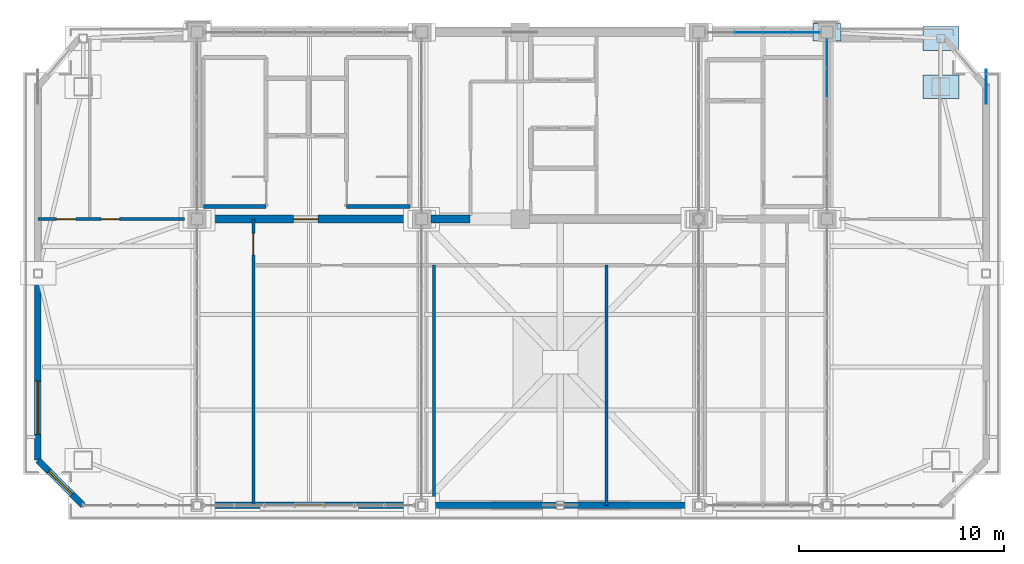
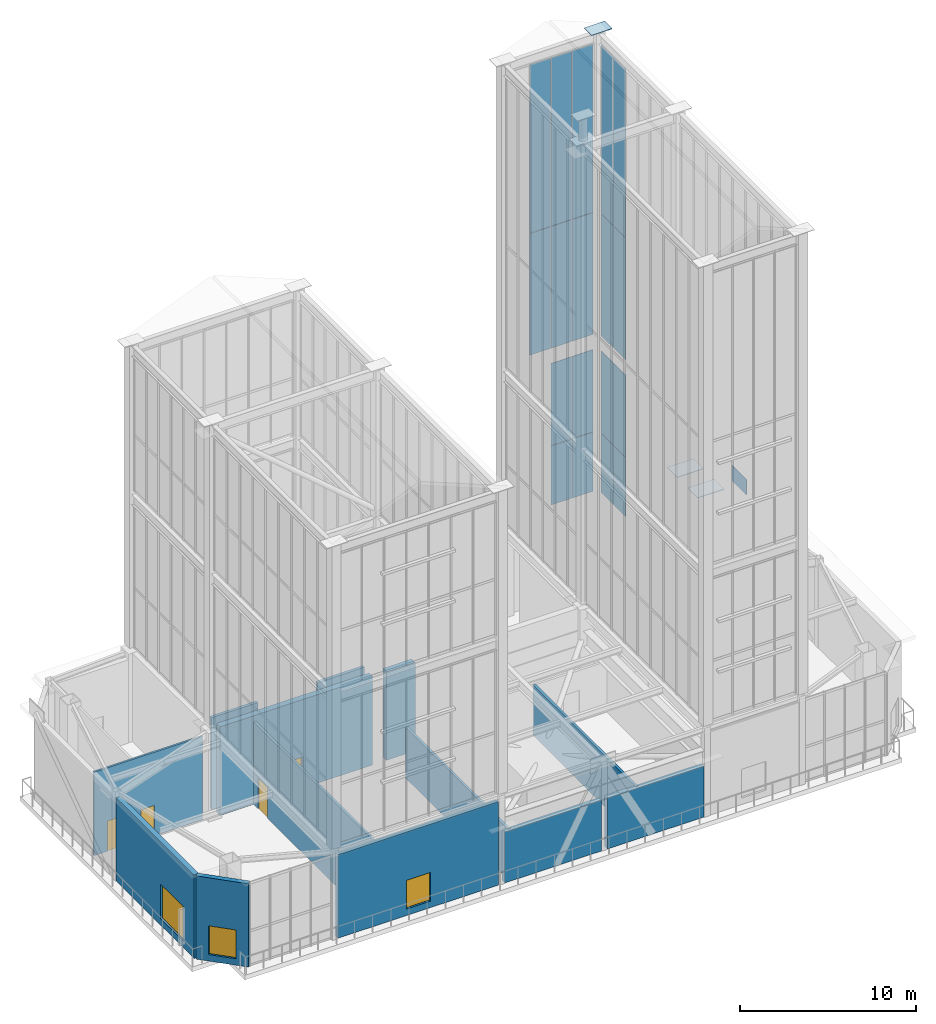
# One storey, part 130 of 135: 22 plates, 13 walls, 4 doors, 3 windows, 7 openings, 4 elements without a shape of their own.
"""IFC4 building model written with IfcOpenShell, lengths in metres."""

from ifc_helpers import new_model, si_unit, direction, frame, frame_2d, origin, origin_2d, place, context, subcontext, project, spatial, rectangle, extrude, source, transform, mapped, material, layer, layer_set, type_object, element, fill, aggregate, save


model = new_model("IFC4")

# Units and contexts
model_context = context("Model", 3, precision=1e-05, world=origin(), true_north=direction((0.0, 1.0)))
body_context = subcontext(model_context, "Body", "Model", "MODEL_VIEW")
ifc_project = project(units=[si_unit("LENGTHUNIT", "METRE"), si_unit("AREAUNIT", "SQUARE_METRE"), si_unit("VOLUMEUNIT", "CUBIC_METRE"), si_unit("PLANEANGLEUNIT", "RADIAN"), si_unit("MASSUNIT", "GRAM", prefix="KILO")], contexts=[model_context])

# Site, building, storey
site_placement = place(None, origin())
site = spatial("IfcSite", under=ifc_project, at=site_placement, CompositionType="ELEMENT")
building_placement = place(site_placement, origin())
building = spatial("IfcBuilding", under=site, at=building_placement, Name="Giltprow Tower", CompositionType="ELEMENT")
storey_placement = place(building_placement, frame((0.0, 0.0, 352.699951171875)))
storey = spatial("IfcBuildingStorey", under=building, at=storey_placement, Name="L92", CompositionType="ELEMENT", Elevation=352.699951171875)

# Plates
ifc_material_1 = material(Name="Structural steel Q420GJC", Category="steel")
plate_type_1 = type_object("IfcPlateType", Name="PLT-CAP-SEAL-INT", PredefinedType="USERDEFINED", material=ifc_material_1)
shared_shape_1 = source(origin(), body_context, "Body", "SweptSolid", [
    extrude(rectangle(XDim=1.75, YDim=1.14990234375, at=origin_2d()), origin(), (0.0, 0.0, 1.0), 0.0400390625),
])
for number, where, z_axis, x_axis, name in (
    (1, (56.10009765625, 43.89990234375, 6.14013671875), (0.0, 0.0, 1.0), (1.0, 0.0, 0.0), "L92 Column Top Seal Plate MC_NE"),
    (2, (56.10009765625, 46.25, 6.14013671875), (0.0, 0.0, 1.0), (1.0, 0.0, 0.0), "L92 Column Top Seal Plate N_E"),
):
    element("IfcPlate", number, at=place(storey_placement, frame(where, z_axis=z_axis, x_axis=x_axis)), inside=storey, type_object=plate_type_1, Name=name, ObjectType="SPLICE", PredefinedType="USERDEFINED", context=body_context, shape_type="MappedRepresentation", body=[
        mapped(shared_shape_1, transform((0.0, 0.0, 0.0), x_axis=(1.0, 0.0, 0.0), y_axis=(0.0, 1.0, 0.0), z_axis=(0.0, 0.0, 1.0), scale=1.0)),
    ])
plate_type_2 = type_object("IfcPlateType", Name="PLT-NODE-MBN2", PredefinedType="USERDEFINED", material=ifc_material_1)
shared_shape_2 = source(origin(), body_context, "Body", "SweptSolid", [
    extrude(rectangle(XDim=1.64990234375, YDim=0.044921875, at=origin_2d()), origin(), (0.0, 0.0, 1.0), 1.050048828125),
])
plate_1_placement = place(storey_placement, frame((58.300048828125, 43.89990234375, 5.47509765625), z_axis=(0.0, 0.0, 1.0), x_axis=(0.0, 1.0, 0.0)))
element("IfcPlate", 3, at=plate_1_placement, inside=storey, type_object=plate_type_2, Name="Mega-Brace Node L92-E-DB", ObjectType="GUSSET", PredefinedType="USERDEFINED", context=body_context, shape_type="MappedRepresentation", body=[
    mapped(shared_shape_2, transform((0.0, 0.0, 0.0), x_axis=(1.0, 0.0, 0.0), y_axis=(0.0, 1.0, 0.0), z_axis=(0.0, 0.0, 1.0), scale=1.0)),
])
plate_type_3 = type_object("IfcPlateType", Name="PLT-NODE-CRN1", PredefinedType="USERDEFINED", material=ifc_material_1)
shared_shape_3 = source(origin(), body_context, "Body", "SweptSolid", [
    extrude(rectangle(XDim=1.35009765625, YDim=0.85009765625, at=origin_2d()), origin(), (0.0, 0.0, 1.0), 0.035888671875),
])
plate_2_placement = place(storey_placement, frame((50.550048828125, 46.550048828125, 38.47802734375), z_axis=(0.0, 0.0, 1.0), x_axis=(1.0, 0.0, 0.0)))
element("IfcPlate", 4, at=plate_2_placement, inside=storey, type_object=plate_type_3, Name="CRN1 Crown Frame Ring Node EAST-4", ObjectType="SPLICE", PredefinedType="USERDEFINED", context=body_context, shape_type="MappedRepresentation", body=[
    mapped(shared_shape_3, transform((0.0, 0.0, 0.0), x_axis=(1.0, 0.0, 0.0), y_axis=(0.0, 1.0, 0.0), z_axis=(0.0, 0.0, 1.0), scale=1.0)),
])

# Curtain wall, plates
ifc_material_2 = material(Name="Anodized bronze", Category="metal")
ifc_layer_1 = layer(ifc_material_2, 0.179931640625, Name="Anodized bronze")
ifc_layer_set_1 = layer_set([ifc_layer_1], Name="Anodized bronze")
curtain_wall_type = type_object("IfcCurtainWallType", Name="CW-CROWN-LANTERN", PredefinedType="NOTDEFINED", material=ifc_layer_set_1)
curtain_wall_1_placement = place(storey_placement, origin())
curtain_wall_1 = element("IfcCurtainWall", 5, at=curtain_wall_1_placement, inside=storey, type_object=curtain_wall_type, Name="Crown East Lower Lantern Glazing 3", PredefinedType="NOTDEFINED")
ifc_material_3 = material(Name="Insulated glass", Category="glass")
plate_type_4 = type_object("IfcPlateType", Name="CW-PANEL-IGU-28", PredefinedType="CURTAIN_PANEL", material=ifc_material_3)
shared_shape_4 = source(origin(), body_context, "Body", "SweptSolid", [
    extrude(rectangle(XDim=1.3701171875, YDim=0.028076171875, at=origin_2d()), origin(), (0.0, 0.0, 1.0), 4.111083984375),
])
plate_3_placement = place(storey_placement, frame((50.550048828125, 44.10009765625, 6.45361328125), z_axis=(0.0, 0.0, 1.0), x_axis=(0.0, 1.0, 0.0)))
plate_3 = element("IfcPlate", 6, at=plate_3_placement, type_object=plate_type_4, Name="Crown East Lower Lantern Glazing 3 Glazing Panel 5-1", PredefinedType="CURTAIN_PANEL", context=body_context, shape_type="MappedRepresentation", body=[
    mapped(shared_shape_4, transform((0.0, 0.0, 0.0), x_axis=(1.0, 0.0, 0.0), y_axis=(0.0, 1.0, 0.0), z_axis=(0.0, 0.0, 1.0), scale=1.0)),
])
plate_4_placement = place(storey_placement, frame((50.550048828125, 45.5, 6.45361328125), z_axis=(0.0, 0.0, 1.0), x_axis=(0.0, 1.0, 0.0)))
plate_4 = element("IfcPlate", 7, at=plate_4_placement, type_object=plate_type_4, Name="Crown East Lower Lantern Glazing 3 Glazing Panel 6-1", PredefinedType="CURTAIN_PANEL", context=body_context, shape_type="MappedRepresentation", body=[
    mapped(shared_shape_4, transform((0.0, 0.0, 0.0), x_axis=(1.0, 0.0, 0.0), y_axis=(0.0, 1.0, 0.0), z_axis=(0.0, 0.0, 1.0), scale=1.0)),
])
shared_shape_5 = source(origin(), body_context, "Body", "SweptSolid", [
    extrude(rectangle(XDim=1.3701171875, YDim=0.028076171875, at=origin_2d()), origin(), (0.0, 0.0, 1.0), 5.702880859375),
])
plate_5_placement = place(storey_placement, frame((50.550048828125, 44.10009765625, 10.5927734375), z_axis=(0.0, 0.0, 1.0), x_axis=(0.0, 1.0, 0.0)))
plate_5 = element("IfcPlate", 8, at=plate_5_placement, type_object=plate_type_4, Name="Crown East Lower Lantern Glazing 3 Glazing Panel 5-2", PredefinedType="CURTAIN_PANEL", context=body_context, shape_type="MappedRepresentation", body=[
    mapped(shared_shape_5, transform((0.0, 0.0, 0.0), x_axis=(1.0, 0.0, 0.0), y_axis=(0.0, 1.0, 0.0), z_axis=(0.0, 0.0, 1.0), scale=1.0)),
])
plate_6_placement = place(storey_placement, frame((50.550048828125, 45.5, 10.5927734375), z_axis=(0.0, 0.0, 1.0), x_axis=(0.0, 1.0, 0.0)))
plate_6 = element("IfcPlate", 9, at=plate_6_placement, type_object=plate_type_4, Name="Crown East Lower Lantern Glazing 3 Glazing Panel 6-2", PredefinedType="CURTAIN_PANEL", context=body_context, shape_type="MappedRepresentation", body=[
    mapped(shared_shape_5, transform((0.0, 0.0, 0.0), x_axis=(1.0, 0.0, 0.0), y_axis=(0.0, 1.0, 0.0), z_axis=(0.0, 0.0, 1.0), scale=1.0)),
])
aggregate(curtain_wall_1, [plate_3, plate_5, plate_4, plate_6])

curtain_wall_2_placement = place(storey_placement, origin())
curtain_wall_2 = element("IfcCurtainWall", 10, at=curtain_wall_2_placement, inside=storey, type_object=curtain_wall_type, Name="Crown East Lower Lantern Glazing 4", PredefinedType="NOTDEFINED")
shared_shape_6 = source(origin(), body_context, "Body", "SweptSolid", [
    extrude(rectangle(XDim=1.35791015625, YDim=0.028076171875, at=origin_2d()), origin(), (0.0, 0.0, 1.0), 4.111083984375),
])
plate_7_placement = place(storey_placement, frame((49.506103515625, 46.550048828125, 6.45361328125), z_axis=(0.0, 0.0, 1.0), x_axis=(-1.0, 0.0, 0.0)))
plate_7 = element("IfcPlate", 11, at=plate_7_placement, type_object=plate_type_4, Name="Crown East Lower Lantern Glazing 4 Glazing Panel 1-1", PredefinedType="CURTAIN_PANEL", context=body_context, shape_type="MappedRepresentation", body=[
    mapped(shared_shape_6, transform((0.0, 0.0, 0.0), x_axis=(1.0, 0.0, 0.0), y_axis=(0.0, 1.0, 0.0), z_axis=(0.0, 0.0, 1.0), scale=1.0)),
])
plate_8_placement = place(storey_placement, frame((48.118896484375, 46.550048828125, 6.45361328125), z_axis=(0.0, 0.0, 1.0), x_axis=(-1.0, 0.0, 0.0)))
plate_8 = element("IfcPlate", 12, at=plate_8_placement, type_object=plate_type_4, Name="Crown East Lower Lantern Glazing 4 Glazing Panel 2-1", PredefinedType="CURTAIN_PANEL", context=body_context, shape_type="MappedRepresentation", body=[
    mapped(shared_shape_6, transform((0.0, 0.0, 0.0), x_axis=(1.0, 0.0, 0.0), y_axis=(0.0, 1.0, 0.0), z_axis=(0.0, 0.0, 1.0), scale=1.0)),
])
shared_shape_7 = source(origin(), body_context, "Body", "SweptSolid", [
    extrude(rectangle(XDim=1.35791015625, YDim=0.028076171875, at=origin_2d()), origin(), (0.0, 0.0, 1.0), 5.702880859375),
])
plate_9_placement = place(storey_placement, frame((49.506103515625, 46.550048828125, 10.5927734375), z_axis=(0.0, 0.0, 1.0), x_axis=(-1.0, 0.0, 0.0)))
plate_9 = element("IfcPlate", 13, at=plate_9_placement, type_object=plate_type_4, Name="Crown East Lower Lantern Glazing 4 Glazing Panel 1-2", PredefinedType="CURTAIN_PANEL", context=body_context, shape_type="MappedRepresentation", body=[
    mapped(shared_shape_7, transform((0.0, 0.0, 0.0), x_axis=(1.0, 0.0, 0.0), y_axis=(0.0, 1.0, 0.0), z_axis=(0.0, 0.0, 1.0), scale=1.0)),
])
plate_10_placement = place(storey_placement, frame((48.118896484375, 46.550048828125, 10.5927734375), z_axis=(0.0, 0.0, 1.0), x_axis=(-1.0, 0.0, 0.0)))
plate_10 = element("IfcPlate", 14, at=plate_10_placement, type_object=plate_type_4, Name="Crown East Lower Lantern Glazing 4 Glazing Panel 2-2", PredefinedType="CURTAIN_PANEL", context=body_context, shape_type="MappedRepresentation", body=[
    mapped(shared_shape_7, transform((0.0, 0.0, 0.0), x_axis=(1.0, 0.0, 0.0), y_axis=(0.0, 1.0, 0.0), z_axis=(0.0, 0.0, 1.0), scale=1.0)),
])
aggregate(curtain_wall_2, [plate_7, plate_9, plate_8, plate_10])

curtain_wall_3_placement = place(storey_placement, origin())
curtain_wall_3 = element("IfcCurtainWall", 15, at=curtain_wall_3_placement, inside=storey, type_object=curtain_wall_type, Name="Crown East Upper Lantern Glazing 4", PredefinedType="NOTDEFINED")
shared_shape_8 = source(origin(), body_context, "Body", "SweptSolid", [
    extrude(rectangle(XDim=1.35791015625, YDim=0.028076171875, at=origin_2d()), origin(), (0.0, 0.0, 1.0), 8.465087890625),
])
plate_11_placement = place(storey_placement, frame((49.506103515625, 46.550048828125, 17.3544921875), z_axis=(0.0, 0.0, 1.0), x_axis=(-1.0, 0.0, 0.0)))
plate_11 = element("IfcPlate", 16, at=plate_11_placement, type_object=plate_type_4, Name="Crown East Upper Lantern Glazing 4 Glazing Panel 1-1", PredefinedType="CURTAIN_PANEL", context=body_context, shape_type="MappedRepresentation", body=[
    mapped(shared_shape_8, transform((0.0, 0.0, 0.0), x_axis=(1.0, 0.0, 0.0), y_axis=(0.0, 1.0, 0.0), z_axis=(0.0, 0.0, 1.0), scale=1.0)),
])
plate_12_placement = place(storey_placement, frame((48.118896484375, 46.550048828125, 17.3544921875), z_axis=(0.0, 0.0, 1.0), x_axis=(-1.0, 0.0, 0.0)))
plate_12 = element("IfcPlate", 17, at=plate_12_placement, type_object=plate_type_4, Name="Crown East Upper Lantern Glazing 4 Glazing Panel 2-1", PredefinedType="CURTAIN_PANEL", context=body_context, shape_type="MappedRepresentation", body=[
    mapped(shared_shape_8, transform((0.0, 0.0, 0.0), x_axis=(1.0, 0.0, 0.0), y_axis=(0.0, 1.0, 0.0), z_axis=(0.0, 0.0, 1.0), scale=1.0)),
])
plate_13_placement = place(storey_placement, frame((46.73095703125, 46.550048828125, 17.3544921875), z_axis=(0.0, 0.0, 1.0), x_axis=(-1.0, 0.0, 0.0)))
plate_13 = element("IfcPlate", 18, at=plate_13_placement, type_object=plate_type_4, Name="Crown East Upper Lantern Glazing 4 Glazing Panel 3-1", PredefinedType="CURTAIN_PANEL", context=body_context, shape_type="MappedRepresentation", body=[
    mapped(shared_shape_8, transform((0.0, 0.0, 0.0), x_axis=(1.0, 0.0, 0.0), y_axis=(0.0, 1.0, 0.0), z_axis=(0.0, 0.0, 1.0), scale=1.0)),
])
shared_shape_9 = source(origin(), body_context, "Body", "SweptSolid", [
    extrude(rectangle(XDim=1.35791015625, YDim=0.028076171875, at=origin_2d()), origin(), (0.0, 0.0, 1.0), 11.715087890625),
])
plate_14_placement = place(storey_placement, frame((49.506103515625, 46.550048828125, 25.8466796875), z_axis=(0.0, 0.0, 1.0), x_axis=(-1.0, 0.0, 0.0)))
plate_14 = element("IfcPlate", 19, at=plate_14_placement, type_object=plate_type_4, Name="Crown East Upper Lantern Glazing 4 Glazing Panel 1-2", PredefinedType="CURTAIN_PANEL", context=body_context, shape_type="MappedRepresentation", body=[
    mapped(shared_shape_9, transform((0.0, 0.0, 0.0), x_axis=(1.0, 0.0, 0.0), y_axis=(0.0, 1.0, 0.0), z_axis=(0.0, 0.0, 1.0), scale=1.0)),
])
plate_15_placement = place(storey_placement, frame((48.118896484375, 46.550048828125, 25.8466796875), z_axis=(0.0, 0.0, 1.0), x_axis=(-1.0, 0.0, 0.0)))
plate_15 = element("IfcPlate", 20, at=plate_15_placement, type_object=plate_type_4, Name="Crown East Upper Lantern Glazing 4 Glazing Panel 2-2", PredefinedType="CURTAIN_PANEL", context=body_context, shape_type="MappedRepresentation", body=[
    mapped(shared_shape_9, transform((0.0, 0.0, 0.0), x_axis=(1.0, 0.0, 0.0), y_axis=(0.0, 1.0, 0.0), z_axis=(0.0, 0.0, 1.0), scale=1.0)),
])
plate_16_placement = place(storey_placement, frame((46.73095703125, 46.550048828125, 25.8466796875), z_axis=(0.0, 0.0, 1.0), x_axis=(-1.0, 0.0, 0.0)))
plate_16 = element("IfcPlate", 21, at=plate_16_placement, type_object=plate_type_4, Name="Crown East Upper Lantern Glazing 4 Glazing Panel 3-2", PredefinedType="CURTAIN_PANEL", context=body_context, shape_type="MappedRepresentation", body=[
    mapped(shared_shape_9, transform((0.0, 0.0, 0.0), x_axis=(1.0, 0.0, 0.0), y_axis=(0.0, 1.0, 0.0), z_axis=(0.0, 0.0, 1.0), scale=1.0)),
])
aggregate(curtain_wall_3, [plate_11, plate_14, plate_12, plate_15, plate_13, plate_16])

curtain_wall_4_placement = place(storey_placement, origin())
curtain_wall_4 = element("IfcCurtainWall", 22, at=curtain_wall_4_placement, inside=storey, type_object=curtain_wall_type, Name="Crown East Upper Lantern Glazing 3", PredefinedType="NOTDEFINED")
shared_shape_10 = source(origin(), body_context, "Body", "SweptSolid", [
    extrude(rectangle(XDim=1.3701171875, YDim=0.028076171875, at=origin_2d()), origin(), (0.0, 0.0, 1.0), 8.465087890625),
])
plate_17_placement = place(storey_placement, frame((50.550048828125, 44.10009765625, 17.3544921875), z_axis=(0.0, 0.0, 1.0), x_axis=(0.0, 1.0, 0.0)))
plate_17 = element("IfcPlate", 23, at=plate_17_placement, type_object=plate_type_4, Name="Crown East Upper Lantern Glazing 3 Glazing Panel 5-1", PredefinedType="CURTAIN_PANEL", context=body_context, shape_type="MappedRepresentation", body=[
    mapped(shared_shape_10, transform((0.0, 0.0, 0.0), x_axis=(1.0, 0.0, 0.0), y_axis=(0.0, 1.0, 0.0), z_axis=(0.0, 0.0, 1.0), scale=1.0)),
])
plate_18_placement = place(storey_placement, frame((50.550048828125, 45.5, 17.3544921875), z_axis=(0.0, 0.0, 1.0), x_axis=(0.0, 1.0, 0.0)))
plate_18 = element("IfcPlate", 24, at=plate_18_placement, type_object=plate_type_4, Name="Crown East Upper Lantern Glazing 3 Glazing Panel 6-1", PredefinedType="CURTAIN_PANEL", context=body_context, shape_type="MappedRepresentation", body=[
    mapped(shared_shape_10, transform((0.0, 0.0, 0.0), x_axis=(1.0, 0.0, 0.0), y_axis=(0.0, 1.0, 0.0), z_axis=(0.0, 0.0, 1.0), scale=1.0)),
])
shared_shape_11 = source(origin(), body_context, "Body", "SweptSolid", [
    extrude(rectangle(XDim=1.3701171875, YDim=0.028076171875, at=origin_2d()), origin(), (0.0, 0.0, 1.0), 11.715087890625),
])
plate_19_placement = place(storey_placement, frame((50.550048828125, 44.10009765625, 25.8466796875), z_axis=(0.0, 0.0, 1.0), x_axis=(0.0, 1.0, 0.0)))
plate_19 = element("IfcPlate", 25, at=plate_19_placement, type_object=plate_type_4, Name="Crown East Upper Lantern Glazing 3 Glazing Panel 5-2", PredefinedType="CURTAIN_PANEL", context=body_context, shape_type="MappedRepresentation", body=[
    mapped(shared_shape_11, transform((0.0, 0.0, 0.0), x_axis=(1.0, 0.0, 0.0), y_axis=(0.0, 1.0, 0.0), z_axis=(0.0, 0.0, 1.0), scale=1.0)),
])
plate_20_placement = place(storey_placement, frame((50.550048828125, 45.5, 25.8466796875), z_axis=(0.0, 0.0, 1.0), x_axis=(0.0, 1.0, 0.0)))
plate_20 = element("IfcPlate", 26, at=plate_20_placement, type_object=plate_type_4, Name="Crown East Upper Lantern Glazing 3 Glazing Panel 6-2", PredefinedType="CURTAIN_PANEL", context=body_context, shape_type="MappedRepresentation", body=[
    mapped(shared_shape_11, transform((0.0, 0.0, 0.0), x_axis=(1.0, 0.0, 0.0), y_axis=(0.0, 1.0, 0.0), z_axis=(0.0, 0.0, 1.0), scale=1.0)),
])
aggregate(curtain_wall_4, [plate_17, plate_19, plate_18, plate_20])

# Wall, opening, window
ifc_material_4 = material(Name="Precast concrete C40", Category="concrete")
ifc_layer_2 = layer(ifc_material_4, 0.300048828125, Name="Precast concrete C40")
ifc_layer_set_2 = layer_set([ifc_layer_2], Name="Precast concrete C40")
wall_type_1 = type_object("IfcWallType", Name="EW-NOTCH-CHAMFER-300", PredefinedType="SOLIDWALL", material=ifc_layer_set_2)
wall_1_placement = place(storey_placement, frame((12.10009765625, 25.699951171875, 0.0), z_axis=(0.0, 0.0, 1.0), x_axis=(0.707106781187, -0.707106781187, 0.0)))
wall_1 = element("IfcWall", 27, at=wall_1_placement, inside=storey, type_object=wall_type_1, Name="L92 Corner Notch Wall SW", PredefinedType="SOLIDWALL", context=body_context, shape_type="SweptSolid", body=[
    extrude(rectangle(XDim=3.111083984375, YDim=0.300048828125, at=frame_2d((1.5556640625, 0.0))), origin(), (0.0, 0.0, 1.0), 5.7900390625),
])
opening_1_placement = place(wall_1_placement, frame((0.756103515625, 0.0, 0.449951171875)))
opening_1 = element("IfcOpeningElement", 28, at=opening_1_placement, cuts=wall_1, Name="Opening WN17", PredefinedType="OPENING", context=body_context, shape_type="SweptSolid", body=[
    extrude(rectangle(XDim=1.60009765625, YDim=2.0, at=frame_2d((0.800048828125, 1.0))), frame((0.0, 0.159912109375, 0.0), z_axis=(0.0, -1.0, 0.0), x_axis=(1.0, 0.0, 0.0)), (0.0, 0.0, 1.0), 0.320068359375),
])
window_type_1 = type_object("IfcWindowType", Name="WN-COR-1600x2000", PartitioningType="SINGLE_PANEL", PredefinedType="WINDOW", material=ifc_material_3)
shared_shape_12 = source(origin(), body_context, "Body", "SweptSolid", [
    extrude(rectangle(XDim=1.60009765625, YDim=2.0, at=frame_2d((0.800048828125, 1.0))), frame((0.0, 0.030029296875, 0.0), z_axis=(0.0, -1.0, 0.0), x_axis=(1.0, 0.0, 0.0)), (0.0, 0.0, 1.0), 0.06005859375),
])
window_1_placement = place(opening_1_placement, origin())
window_1 = element("IfcWindow", 29, at=window_1_placement, inside=storey, type_object=window_type_1, Name="L92 Corner Notch Window SW", OverallHeight=2.0, OverallWidth=1.60009765625, PartitioningType="SINGLE_PANEL", PredefinedType="WINDOW", context=body_context, shape_type="MappedRepresentation", body=[
    mapped(shared_shape_12, transform((0.0, 0.0, 0.0), x_axis=(1.0, 0.0, 0.0), y_axis=(0.0, 1.0, 0.0), z_axis=(0.0, 0.0, 1.0), scale=1.0)),
])
fill(opening_1, window_1)

ifc_layer_3 = layer(ifc_material_4, 0.320068359375, Name="Precast concrete C40")
ifc_layer_set_3 = layer_set([ifc_layer_3], Name="Precast concrete C40")
wall_type_2 = type_object("IfcWallType", Name="EW-TOW-STONE-320", PredefinedType="SOLIDWALL", material=ifc_layer_set_3)
wall_2_placement = place(storey_placement, frame((20.050048828125, 23.5, 0.0), z_axis=(0.0, 0.0, 1.0), x_axis=(1.0, 0.0, 0.0)))
wall_2 = element("IfcWall", 30, at=wall_2_placement, inside=storey, type_object=wall_type_2, Name="L92 South Expressed Frame Wall 2", PredefinedType="SOLIDWALL", context=body_context, shape_type="SweptSolid", body=[
    extrude(rectangle(XDim=10.550048828125, YDim=0.320068359375, at=frame_2d((5.27490234375, 0.0))), origin(), (0.0, 0.0, 1.0), 5.7900390625),
])
opening_2_placement = place(wall_2_placement, frame((4.47509765625, 0.0, 0.449951171875)))
opening_2 = element("IfcOpeningElement", 31, at=opening_2_placement, cuts=wall_2, Name="Opening WN17", PredefinedType="OPENING", context=body_context, shape_type="SweptSolid", body=[
    extrude(rectangle(XDim=1.60009765625, YDim=2.0, at=frame_2d((0.800048828125, 1.0))), frame((0.0, 0.169921875, 0.0), z_axis=(0.0, -1.0, 0.0), x_axis=(1.0, 0.0, 0.0)), (0.0, 0.0, 1.0), 0.340087890625),
])
window_2_placement = place(opening_2_placement, origin())
window_2 = element("IfcWindow", 32, at=window_2_placement, inside=storey, type_object=window_type_1, Name="L92 South Window 2", OverallHeight=2.0, OverallWidth=1.60009765625, PartitioningType="SINGLE_PANEL", PredefinedType="WINDOW", context=body_context, shape_type="MappedRepresentation", body=[
    mapped(shared_shape_12, transform((0.0, 0.0, 0.0), x_axis=(1.0, 0.0, 0.0), y_axis=(0.0, 1.0, 0.0), z_axis=(0.0, 0.0, 1.0), scale=1.0)),
])
fill(opening_2, window_2)

# Walls
for number, where, z_axis, x_axis, name in (
    (33, (31.0, 23.5, 0.0), (0.0, 0.0, 1.0), (1.0, 0.0, 0.0), "L92 South Expressed Frame Wall 3"),
    (34, (37.75, 23.5, 0.0), (0.0, 0.0, 1.0), (1.0, 0.0, 0.0), "L92 South Expressed Frame Wall 4"),
):
    element("IfcWall", number, at=place(storey_placement, frame(where, z_axis=z_axis, x_axis=x_axis)), inside=storey, type_object=wall_type_2, Name=name, PredefinedType="SOLIDWALL", context=body_context, shape_type="SweptSolid", body=[
        extrude(rectangle(XDim=6.35009765625, YDim=0.320068359375, at=frame_2d((3.175048828125, 0.0))), origin(), (0.0, 0.0, 1.0), 3.53515625),
    ])

# Wall, opening, window
wall_3_placement = place(storey_placement, frame((12.10009765625, 25.699951171875, 0.0), z_axis=(0.0, 0.0, 1.0), x_axis=(0.0, 1.0, 0.0)))
wall_3 = element("IfcWall", 35, at=wall_3_placement, inside=storey, type_object=wall_type_2, Name="L92 W Wing Masonry Wall 1", PredefinedType="SOLIDWALL", context=body_context, shape_type="SweptSolid", body=[
    extrude(rectangle(XDim=8.900146484375, YDim=0.320068359375, at=frame_2d((4.4501953125, 0.0))), origin(), (0.0, 0.0, 1.0), 5.7900390625),
])
opening_3_placement = place(wall_3_placement, frame((1.25390625, 0.0, 0.449951171875)))
opening_3 = element("IfcOpeningElement", 36, at=opening_3_placement, cuts=wall_3, Name="Opening WN19", PredefinedType="OPENING", context=body_context, shape_type="SweptSolid", body=[
    extrude(rectangle(XDim=2.60009765625, YDim=2.39990234375, at=frame_2d((1.300048828125, 1.199951171875))), frame((0.0, 0.169921875, 0.0), z_axis=(0.0, -1.0, 0.0), x_axis=(1.0, 0.0, 0.0)), (0.0, 0.0, 1.0), 0.340087890625),
])
window_type_2 = type_object("IfcWindowType", Name="WN-OBS-2600x2400", PartitioningType="DOUBLE_PANEL_VERTICAL", PredefinedType="WINDOW", material=ifc_material_3)
shared_shape_13 = source(origin(), body_context, "Body", "SweptSolid", [
    extrude(rectangle(XDim=2.60009765625, YDim=2.39990234375, at=frame_2d((1.300048828125, 1.199951171875))), frame((0.0, 0.030029296875, 0.0), z_axis=(0.0, -1.0, 0.0), x_axis=(1.0, 0.0, 0.0)), (0.0, 0.0, 1.0), 0.06005859375),
])
window_3_placement = place(opening_3_placement, origin())
window_3 = element("IfcWindow", 37, at=window_3_placement, inside=storey, type_object=window_type_2, Name="L92 W Wing Window 1-1A", OverallHeight=2.39990234375, OverallWidth=2.60009765625, PartitioningType="SINGLE_PANEL", PredefinedType="WINDOW", context=body_context, shape_type="MappedRepresentation", body=[
    mapped(shared_shape_13, transform((0.0, 0.0, 0.0), x_axis=(1.0, 0.0, 0.0), y_axis=(0.0, 1.0, 0.0), z_axis=(0.0, 0.0, 1.0), scale=1.0)),
])
fill(opening_3, window_3)

# Wall, opening, door
ifc_material_5 = material(Name="Gypsum stud partition", Category="gypsum")
ifc_layer_4 = layer(ifc_material_5, 0.159912109375, Name="Gypsum stud partition")
ifc_layer_set_4 = layer_set([ifc_layer_4], Name="Gypsum stud partition")
wall_type_3 = type_object("IfcWallType", Name="IW-DEMISE-160", PredefinedType="PARTITIONING", material=ifc_layer_set_4)
wall_4_placement = place(storey_placement, frame((22.60009765625, 23.5, 0.0), z_axis=(0.0, 0.0, 1.0), x_axis=(0.0, 1.0, 0.0)))
wall_4 = element("IfcWall", 38, at=wall_4_placement, inside=storey, type_object=wall_type_3, Name="L92 West Salon Wall", PredefinedType="PARTITIONING", context=body_context, shape_type="SweptSolid", body=[
    extrude(rectangle(XDim=13.949951171875, YDim=0.159912109375, at=frame_2d((6.97509765625, 0.0))), origin(), (0.0, 0.0, 1.0), 5.7451171875),
])
opening_4_placement = place(wall_4_placement, frame((12.199951171875, 0.0, 0.0)))
opening_4 = element("IfcOpeningElement", 39, at=opening_4_placement, cuts=wall_4, Name="Opening ID31", PredefinedType="OPENING", context=body_context, shape_type="SweptSolid", body=[
    extrude(rectangle(XDim=1.050048828125, YDim=2.14990234375, at=frame_2d((0.52490234375, 1.074951171875))), frame((0.0, 0.08984375, 0.0), z_axis=(0.0, -1.0, 0.0), x_axis=(1.0, 0.0, 0.0)), (0.0, 0.0, 1.0), 0.179931640625),
])
ifc_material_6 = material(Name="Engineered timber", Category="wood")
door_type_1 = type_object("IfcDoorType", Name="DR-SUITE-1050", OperationType="SINGLE_SWING_LEFT", PredefinedType="DOOR", material=ifc_material_6)
shared_shape_14 = source(origin(), body_context, "Body", "SweptSolid", [
    extrude(rectangle(XDim=1.050048828125, YDim=2.14990234375, at=frame_2d((0.52490234375, 1.074951171875))), frame((0.0, 0.02490234375, 0.0), z_axis=(0.0, -1.0, 0.0), x_axis=(1.0, 0.0, 0.0)), (0.0, 0.0, 1.0), 0.050048828125),
])
door_1_placement = place(opening_4_placement, origin())
door_1 = element("IfcDoor", 40, at=door_1_placement, inside=storey, type_object=door_type_1, Name="L92 West Horizon Salon Door", OperationType="SINGLE_SWING_LEFT", OverallHeight=2.14990234375, OverallWidth=1.050048828125, PredefinedType="DOOR", context=body_context, shape_type="MappedRepresentation", body=[
    mapped(shared_shape_14, transform((0.0, 0.0, 0.0), x_axis=(1.0, 0.0, 0.0), y_axis=(0.0, 1.0, 0.0), z_axis=(0.0, 0.0, 1.0), scale=1.0)),
])
fill(opening_4, door_1)

# Walls
for number, where, z_axis, x_axis, name in (
    (41, (31.39990234375, 23.5, 0.0), (0.0, 0.0, 1.0), (0.0, 1.0, 0.0), "L92 Observatory Wall 1"),
    (42, (39.800048828125, 23.5, 0.0), (0.0, 0.0, 1.0), (0.0, 1.0, 0.0), "L92 Observatory Wall 2"),
):
    element("IfcWall", number, at=place(storey_placement, frame(where, z_axis=z_axis, x_axis=x_axis)), inside=storey, type_object=wall_type_3, Name=name, PredefinedType="PARTITIONING", context=body_context, shape_type="SweptSolid", body=[
        extrude(rectangle(XDim=11.699951171875, YDim=0.159912109375, at=frame_2d((5.85009765625, 0.0))), origin(), (0.0, 0.0, 1.0), 3.53515625),
    ])
ifc_material_7 = material(Name="Concrete C40", Category="concrete")
ifc_layer_5 = layer(ifc_material_7, 0.199951171875, Name="Concrete C40")
ifc_layer_set_5 = layer_set([ifc_layer_5], Name="Concrete C40")
wall_type_4 = type_object("IfcWallType", Name="IW-STAIR-200", PredefinedType="SOLIDWALL", material=ifc_layer_set_5)
wall_5_placement = place(storey_placement, frame((20.169921875, 38.070068359375, 0.0), z_axis=(0.0, 0.0, 1.0), x_axis=(1.0, 0.0, 0.0)))
element("IfcWall", 43, at=wall_5_placement, inside=storey, type_object=wall_type_4, Name="L92 Stair ST-1 South Bearing Wall", PredefinedType="SOLIDWALL", context=body_context, shape_type="SweptSolid", body=[
    extrude(rectangle(XDim=3.050048828125, YDim=0.199951171875, at=frame_2d((1.52490234375, 0.0))), origin(), (0.0, 0.0, 1.0), 6.400146484375),
])
wall_6_placement = place(storey_placement, frame((27.139892578125, 38.070068359375, 0.0), z_axis=(0.0, 0.0, 1.0), x_axis=(1.0, 0.0, 0.0)))
element("IfcWall", 44, at=wall_6_placement, inside=storey, type_object=wall_type_4, Name="L92 Stair ST-2 South Bearing Wall", PredefinedType="SOLIDWALL", context=body_context, shape_type="SweptSolid", body=[
    extrude(rectangle(XDim=3.080078125, YDim=0.199951171875, at=frame_2d((1.5400390625, 0.0))), origin(), (0.0, 0.0, 1.0), 6.400146484375),
])

# Wall, openings, doors
ifc_material_8 = material(Name="Concrete C30", Category="concrete")
ifc_layer_6 = layer(ifc_material_8, 0.1298828125, Name="Concrete C30")
ifc_layer_set_6 = layer_set([ifc_layer_6], Name="Concrete C30")
wall_type_5 = type_object("IfcWallType", Name="IW-WET-130", PredefinedType="PARTITIONING", material=ifc_layer_set_6)
wall_7_placement = place(storey_placement, frame((12.10009765625, 37.449951171875, 0.0), z_axis=(0.0, 0.0, 1.0), x_axis=(1.0, 0.0, 0.0)))
wall_7 = element("IfcWall", 45, at=wall_7_placement, inside=storey, type_object=wall_type_5, Name="L92 NW Wing South Wall", PredefinedType="PARTITIONING", context=body_context, shape_type="SweptSolid", body=[
    extrude(rectangle(XDim=7.14990234375, YDim=0.1298828125, at=frame_2d((3.574951171875, 0.0))), origin(), (0.0, 0.0, 1.0), 5.795166015625),
])
opening_5_placement = place(wall_7_placement, frame((0.89990234375, 0.0, 0.0)))
opening_5 = element("IfcOpeningElement", 46, at=opening_5_placement, cuts=wall_7, Name="Opening ID11", PredefinedType="OPENING", context=body_context, shape_type="SweptSolid", body=[
    extrude(rectangle(XDim=0.949951171875, YDim=2.10009765625, at=frame_2d((0.47509765625, 1.050048828125))), frame((0.0, 0.074951171875, 0.0), z_axis=(0.0, -1.0, 0.0), x_axis=(1.0, 0.0, 0.0)), (0.0, 0.0, 1.0), 0.14990234375),
])
opening_6_placement = place(wall_7_placement, frame((3.0791015625, 0.0, 0.0)))
opening_6 = element("IfcOpeningElement", 47, at=opening_6_placement, cuts=wall_7, Name="Opening ID15", PredefinedType="OPENING", context=body_context, shape_type="SweptSolid", body=[
    extrude(rectangle(XDim=0.89990234375, YDim=2.10009765625, at=frame_2d((0.449951171875, 1.050048828125))), frame((0.0, 0.074951171875, 0.0), z_axis=(0.0, -1.0, 0.0), x_axis=(1.0, 0.0, 0.0)), (0.0, 0.0, 1.0), 0.14990234375),
])
door_type_2 = type_object("IfcDoorType", Name="DR-WC-900", OperationType="SINGLE_SWING_LEFT", PredefinedType="DOOR", material=ifc_material_6)
shared_shape_15 = source(origin(), body_context, "Body", "SweptSolid", [
    extrude(rectangle(XDim=0.89990234375, YDim=2.10009765625, at=frame_2d((0.449951171875, 1.050048828125))), frame((0.0, 0.02490234375, 0.0), z_axis=(0.0, -1.0, 0.0), x_axis=(1.0, 0.0, 0.0)), (0.0, 0.0, 1.0), 0.050048828125),
])
door_2_placement = place(opening_6_placement, origin())
door_2 = element("IfcDoor", 48, at=door_2_placement, inside=storey, type_object=door_type_2, Name="L92 NW Washroom Door", OperationType="SINGLE_SWING_RIGHT", OverallHeight=2.10009765625, OverallWidth=0.89990234375, PredefinedType="DOOR", context=body_context, shape_type="MappedRepresentation", body=[
    mapped(shared_shape_15, transform((0.0, 0.0, 0.0), x_axis=(1.0, 0.0, 0.0), y_axis=(0.0, 1.0, 0.0), z_axis=(0.0, 0.0, 1.0), scale=1.0)),
])
fill(opening_6, door_2)
door_type_3 = type_object("IfcDoorType", Name="DR-ROOM-950", OperationType="SINGLE_SWING_RIGHT", PredefinedType="DOOR", material=ifc_material_6)
shared_shape_16 = source(origin(), body_context, "Body", "SweptSolid", [
    extrude(rectangle(XDim=0.949951171875, YDim=2.10009765625, at=frame_2d((0.47509765625, 1.050048828125))), frame((0.0, 0.02490234375, 0.0), z_axis=(0.0, -1.0, 0.0), x_axis=(1.0, 0.0, 0.0)), (0.0, 0.0, 1.0), 0.050048828125),
])
door_3_placement = place(opening_5_placement, origin())
door_3 = element("IfcDoor", 49, at=door_3_placement, inside=storey, type_object=door_type_3, Name="L92 Observatory Curator Office West Door", OperationType="SINGLE_SWING_LEFT", OverallHeight=2.10009765625, OverallWidth=0.949951171875, PredefinedType="DOOR", context=body_context, shape_type="MappedRepresentation", body=[
    mapped(shared_shape_16, transform((0.0, 0.0, 0.0), x_axis=(1.0, 0.0, 0.0), y_axis=(0.0, 1.0, 0.0), z_axis=(0.0, 0.0, 1.0), scale=1.0)),
])
fill(opening_5, door_3)

# Wall, opening, door
ifc_material_9 = material(Name="Concrete C45", Category="concrete")
ifc_layer_7 = layer(ifc_material_9, 0.39990234375, Name="Concrete C45")
ifc_layer_set_7 = layer_set([ifc_layer_7], Name="Concrete C45")
wall_type_6 = type_object("IfcWallType", Name="SW-INT-400-C45", PredefinedType="SHEAR", material=ifc_layer_set_7)
wall_8_placement = place(storey_placement, frame((20.300048828125, 37.449951171875, 0.0), z_axis=(0.0, 0.0, 1.0), x_axis=(1.0, 0.0, 0.0)))
wall_8 = element("IfcWall", 50, at=wall_8_placement, inside=storey, type_object=wall_type_6, Name="L92 South Rear Core Shear Wall West", PredefinedType="SHEAR", context=body_context, shape_type="SweptSolid", body=[
    extrude(rectangle(XDim=10.050048828125, YDim=0.39990234375, at=frame_2d((5.02490234375, 0.0))), origin(), (0.0, 0.0, 1.0), 6.16015625),
])
opening_7_placement = place(wall_8_placement, frame((4.25, 0.0, 0.0)))
opening_7 = element("IfcOpeningElement", 51, at=opening_7_placement, cuts=wall_8, Name="Opening ID19", PredefinedType="OPENING", context=body_context, shape_type="SweptSolid", body=[
    extrude(rectangle(XDim=1.199951171875, YDim=2.14990234375, at=frame_2d((0.60009765625, 1.074951171875))), frame((0.0, 0.2099609375, 0.0), z_axis=(0.0, -1.0, 0.0), x_axis=(1.0, 0.0, 0.0)), (0.0, 0.0, 1.0), 0.419921875),
])
ifc_material_10 = material(Name="Steel fire leaf", Category="steel")
door_type_4 = type_object("IfcDoorType", Name="DR-FFLOBBY-1200", OperationType="SINGLE_SWING_RIGHT", PredefinedType="DOOR", material=ifc_material_10)
shared_shape_17 = source(origin(), body_context, "Body", "SweptSolid", [
    extrude(rectangle(XDim=1.199951171875, YDim=2.14990234375, at=frame_2d((0.60009765625, 1.074951171875))), frame((0.0, 0.02490234375, 0.0), z_axis=(0.0, -1.0, 0.0), x_axis=(1.0, 0.0, 0.0)), (0.0, 0.0, 1.0), 0.050048828125),
])
door_4_placement = place(opening_7_placement, origin())
door_4 = element("IfcDoor", 52, at=door_4_placement, inside=storey, type_object=door_type_4, Name="L92 West Firefighting Lobby Entry Door", OperationType="SINGLE_SWING_RIGHT", OverallHeight=2.14990234375, OverallWidth=1.199951171875, PredefinedType="DOOR", context=body_context, shape_type="MappedRepresentation", body=[
    mapped(shared_shape_17, transform((0.0, 0.0, 0.0), x_axis=(1.0, 0.0, 0.0), y_axis=(0.0, 1.0, 0.0), z_axis=(0.0, 0.0, 1.0), scale=1.0)),
])
fill(opening_7, door_4)

# Wall
wall_9_placement = place(storey_placement, frame((31.25, 37.449951171875, 0.0), z_axis=(0.0, 0.0, 1.0), x_axis=(1.0, 0.0, 0.0)))
element("IfcWall", 53, at=wall_9_placement, inside=storey, type_object=wall_type_6, Name="L92 South Rear Core Shear Wall Mid-West", PredefinedType="SHEAR", context=body_context, shape_type="SweptSolid", body=[
    extrude(rectangle(XDim=1.89990234375, YDim=0.39990234375, at=frame_2d((0.949951171875, 0.0))), origin(), (0.0, 0.0, 1.0), 6.16015625),
])

save(model, "model.ifc")
